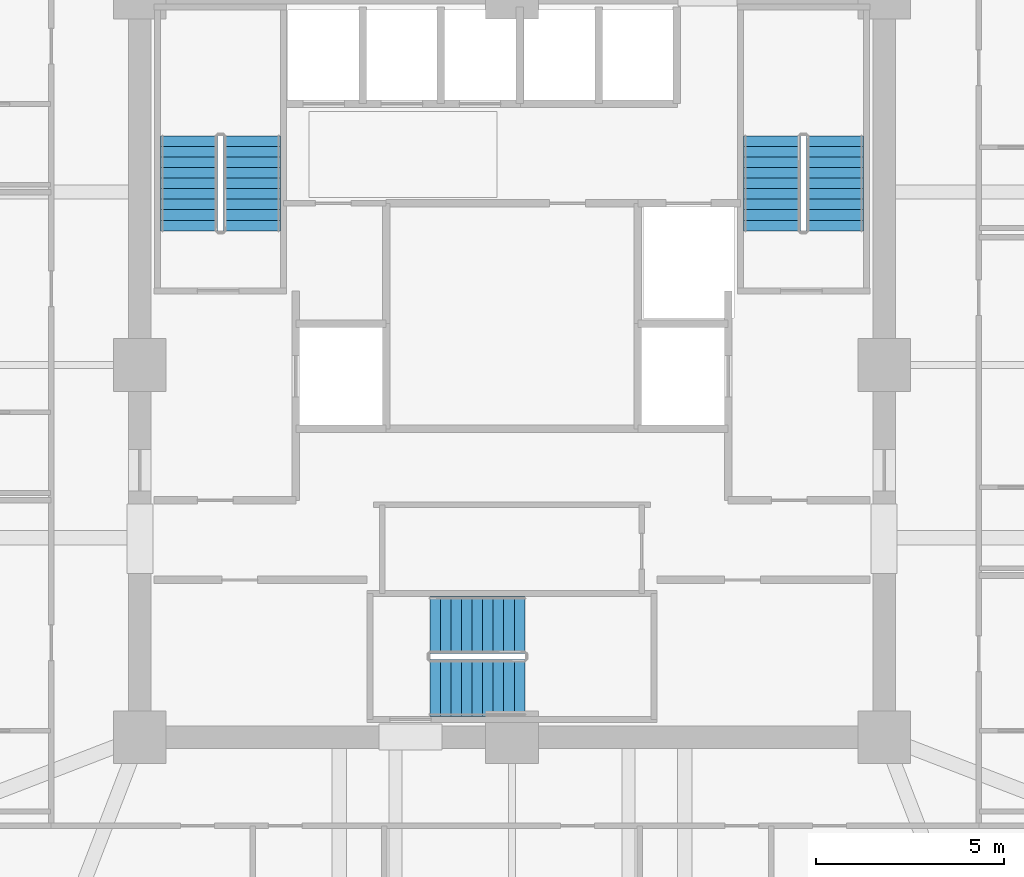
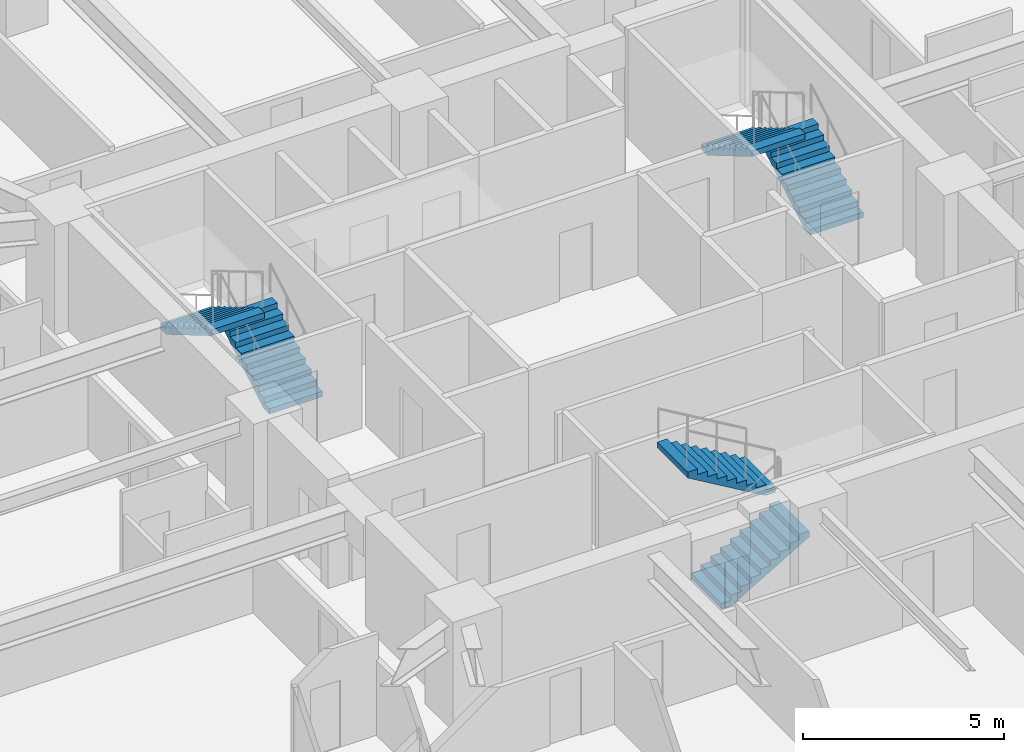
# One storey, part 36 of 38: 6 stair flights, 3 elements without a shape of their own.
"""IFC4 building model written with IfcOpenShell, lengths in metres."""

from ifc_helpers import new_model, si_unit, direction, frame, origin, place, context, subcontext, project, spatial, polyline, outline, extrude, material, type_object, element, aggregate, save


model = new_model("IFC4")

# Units and contexts
model_context = context("Model", 3, precision=1e-05, world=origin(), true_north=direction((0.0, 1.0)))
body_context = subcontext(model_context, "Body", "Model", "MODEL_VIEW")
ifc_project = project(units=[si_unit("LENGTHUNIT", "METRE"), si_unit("AREAUNIT", "SQUARE_METRE"), si_unit("VOLUMEUNIT", "CUBIC_METRE"), si_unit("PLANEANGLEUNIT", "RADIAN"), si_unit("MASSUNIT", "GRAM", prefix="KILO")], contexts=[model_context])

# Site, building, storey
site_placement = place(None, origin())
site = spatial("IfcSite", under=ifc_project, at=site_placement, CompositionType="ELEMENT")
building_placement = place(site_placement, origin())
building = spatial("IfcBuilding", under=site, at=building_placement, Name="Kolvaren Belvedere", CompositionType="ELEMENT")
storey_placement = place(building_placement, frame((0.0, 0.0, 30.39990234375)))
storey = spatial("IfcBuildingStorey", under=building, at=storey_placement, Name="L08", CompositionType="ELEMENT", Elevation=30.39990234375)

# Stair, stair flights
ifc_material_1 = material(Name="Concrete C50/60", Category="concrete")
stair_type = type_object("IfcStairType", Name="ST-CORE-1520", PredefinedType="HALF_TURN_STAIR", material=ifc_material_1)
stair_1_placement = place(storey_placement, origin())
stair_1 = element("IfcStair", 1, at=stair_1_placement, inside=storey, type_object=stair_type, Name="L08 Protected Exit Stair ST-1", PredefinedType="HALF_TURN_STAIR")
ifc_material_2 = material(Name="Concrete C50/60", Category="concrete")
stair_flight_type = type_object("IfcStairFlightType", Name="SF-STR-1520", PredefinedType="STRAIGHT", material=ifc_material_2)
stair_flight_1_placement = place(storey_placement, frame((-6.919921875, 3.570068359375, 0.0), z_axis=(0.0, 0.0, 1.0), x_axis=(0.0, 1.0, 0.0)))
stair_flight_1 = element("IfcStairFlight", 2, at=stair_flight_1_placement, type_object=stair_flight_type, Name="ST-1 flight 1", NumberOfRisers=10, NumberOfTreads=9, PredefinedType="STRAIGHT", RiserHeight=0.165, TreadLength=0.28, context=body_context, shape_type="SweptSolid", body=[
    extrude(outline(polyline([(0.0, 0.0), (0.0, 0.1650390625), (0.280029296875, 0.1650390625), (0.280029296875, 0.330078125), (0.56005859375, 0.330078125), (0.56005859375, 0.4951171875), (0.840087890625, 0.4951171875), (0.840087890625, 0.659912109375), (1.1201171875, 0.659912109375), (1.1201171875, 0.824951171875), (1.39990234375, 0.824951171875), (1.39990234375, 0.989990234375), (1.679931640625, 0.989990234375), (1.679931640625, 1.155029296875), (1.9599609375, 1.155029296875), (1.9599609375, 1.320068359375), (2.239990234375, 1.320068359375), (2.239990234375, 1.485107421875), (2.52001953125, 1.485107421875), (2.52001953125, 1.64990234375), (2.52001953125, 1.31103515625), (0.295166015625, 0.0), (0.0, 0.0)])), frame((0.0, 0.760009765625, 0.0), z_axis=(0.0, -1.0, 0.0), x_axis=(1.0, 0.0, 0.0)), (0.0, 0.0, 1.0), 1.52001953125),
])
stair_flight_2_placement = place(storey_placement, frame((-8.590087890625, 6.090087890625, 1.650146484375), z_axis=(0.0, 0.0, 1.0), x_axis=(0.0, -1.0, 0.0)))
stair_flight_2 = element("IfcStairFlight", 3, at=stair_flight_2_placement, type_object=stair_flight_type, Name="ST-1 flight 2", NumberOfRisers=10, NumberOfTreads=9, PredefinedType="STRAIGHT", RiserHeight=0.165, TreadLength=0.28, context=body_context, shape_type="SweptSolid", body=[
    extrude(outline(polyline([(0.0, 0.0), (0.0, 0.1650390625), (0.280029296875, 0.1650390625), (0.280029296875, 0.330078125), (0.56005859375, 0.330078125), (0.56005859375, 0.4951171875), (0.840087890625, 0.4951171875), (0.840087890625, 0.659912109375), (1.1201171875, 0.659912109375), (1.1201171875, 0.824951171875), (1.39990234375, 0.824951171875), (1.39990234375, 0.989990234375), (1.679931640625, 0.989990234375), (1.679931640625, 1.155029296875), (1.9599609375, 1.155029296875), (1.9599609375, 1.320068359375), (2.239990234375, 1.320068359375), (2.239990234375, 1.485107421875), (2.52001953125, 1.485107421875), (2.52001953125, 1.64990234375), (2.52001953125, 1.31103515625), (0.295166015625, 0.0), (0.0, 0.0)])), frame((0.0, 0.760009765625, 0.0), z_axis=(0.0, -1.0, 0.0), x_axis=(1.0, 0.0, 0.0)), (0.0, 0.0, 1.0), 1.52001953125),
])
aggregate(stair_1, [stair_flight_1, stair_flight_2])

stair_2_placement = place(storey_placement, origin())
stair_2 = element("IfcStair", 4, at=stair_2_placement, inside=storey, type_object=stair_type, Name="L08 Protected Exit Stair ST-2", PredefinedType="HALF_TURN_STAIR")
stair_flight_3_placement = place(storey_placement, frame((8.590087890625, 3.570068359375, 0.0), z_axis=(0.0, 0.0, 1.0), x_axis=(0.0, 1.0, 0.0)))
stair_flight_3 = element("IfcStairFlight", 5, at=stair_flight_3_placement, type_object=stair_flight_type, Name="ST-2 flight 1", NumberOfRisers=10, NumberOfTreads=9, PredefinedType="STRAIGHT", RiserHeight=0.165, TreadLength=0.28, context=body_context, shape_type="SweptSolid", body=[
    extrude(outline(polyline([(0.0, 0.0), (0.0, 0.1650390625), (0.280029296875, 0.1650390625), (0.280029296875, 0.330078125), (0.56005859375, 0.330078125), (0.56005859375, 0.4951171875), (0.840087890625, 0.4951171875), (0.840087890625, 0.659912109375), (1.1201171875, 0.659912109375), (1.1201171875, 0.824951171875), (1.39990234375, 0.824951171875), (1.39990234375, 0.989990234375), (1.679931640625, 0.989990234375), (1.679931640625, 1.155029296875), (1.9599609375, 1.155029296875), (1.9599609375, 1.320068359375), (2.239990234375, 1.320068359375), (2.239990234375, 1.485107421875), (2.52001953125, 1.485107421875), (2.52001953125, 1.64990234375), (2.52001953125, 1.31103515625), (0.295166015625, 0.0), (0.0, 0.0)])), frame((0.0, 0.760009765625, 0.0), z_axis=(0.0, -1.0, 0.0), x_axis=(1.0, 0.0, 0.0)), (0.0, 0.0, 1.0), 1.52001953125),
])
stair_flight_4_placement = place(storey_placement, frame((6.919921875, 6.090087890625, 1.650146484375), z_axis=(0.0, 0.0, 1.0), x_axis=(0.0, -1.0, 0.0)))
stair_flight_4 = element("IfcStairFlight", 6, at=stair_flight_4_placement, type_object=stair_flight_type, Name="ST-2 flight 2", NumberOfRisers=10, NumberOfTreads=9, PredefinedType="STRAIGHT", RiserHeight=0.165, TreadLength=0.28, context=body_context, shape_type="SweptSolid", body=[
    extrude(outline(polyline([(0.0, 0.0), (0.0, 0.1650390625), (0.280029296875, 0.1650390625), (0.280029296875, 0.330078125), (0.56005859375, 0.330078125), (0.56005859375, 0.4951171875), (0.840087890625, 0.4951171875), (0.840087890625, 0.659912109375), (1.1201171875, 0.659912109375), (1.1201171875, 0.824951171875), (1.39990234375, 0.824951171875), (1.39990234375, 0.989990234375), (1.679931640625, 0.989990234375), (1.679931640625, 1.155029296875), (1.9599609375, 1.155029296875), (1.9599609375, 1.320068359375), (2.239990234375, 1.320068359375), (2.239990234375, 1.485107421875), (2.52001953125, 1.485107421875), (2.52001953125, 1.64990234375), (2.52001953125, 1.31103515625), (0.295166015625, 0.0), (0.0, 0.0)])), frame((0.0, 0.760009765625, 0.0), z_axis=(0.0, -1.0, 0.0), x_axis=(1.0, 0.0, 0.0)), (0.0, 0.0, 1.0), 1.52001953125),
])
aggregate(stair_2, [stair_flight_3, stair_flight_4])

stair_3_placement = place(storey_placement, origin())
stair_3 = element("IfcStair", 7, at=stair_3_placement, inside=storey, type_object=stair_type, Name="L08 Protected Exit Stair ST-3", PredefinedType="HALF_TURN_STAIR")
stair_flight_5_placement = place(storey_placement, frame((-2.179931640625, -8.590087890625, 0.0), z_axis=(0.0, 0.0, 1.0), x_axis=(1.0, 0.0, 0.0)))
stair_flight_5 = element("IfcStairFlight", 8, at=stair_flight_5_placement, type_object=stair_flight_type, Name="ST-3 flight 1", NumberOfRisers=10, NumberOfTreads=9, PredefinedType="STRAIGHT", RiserHeight=0.165, TreadLength=0.28, context=body_context, shape_type="SweptSolid", body=[
    extrude(outline(polyline([(0.0, 0.0), (0.0, 0.1650390625), (0.280029296875, 0.1650390625), (0.280029296875, 0.330078125), (0.56005859375, 0.330078125), (0.56005859375, 0.4951171875), (0.840087890625, 0.4951171875), (0.840087890625, 0.659912109375), (1.1201171875, 0.659912109375), (1.1201171875, 0.824951171875), (1.39990234375, 0.824951171875), (1.39990234375, 0.989990234375), (1.679931640625, 0.989990234375), (1.679931640625, 1.155029296875), (1.9599609375, 1.155029296875), (1.9599609375, 1.320068359375), (2.239990234375, 1.320068359375), (2.239990234375, 1.485107421875), (2.52001953125, 1.485107421875), (2.52001953125, 1.64990234375), (2.52001953125, 1.31103515625), (0.295166015625, 0.0), (0.0, 0.0)])), frame((0.0, 0.760009765625, 0.0), z_axis=(0.0, -1.0, 0.0), x_axis=(1.0, 0.0, 0.0)), (0.0, 0.0, 1.0), 1.52001953125),
])
stair_flight_6_placement = place(storey_placement, frame((0.340087890625, -6.919921875, 1.650146484375), z_axis=(0.0, 0.0, 1.0), x_axis=(-1.0, 0.0, 0.0)))
stair_flight_6 = element("IfcStairFlight", 9, at=stair_flight_6_placement, type_object=stair_flight_type, Name="ST-3 flight 2", NumberOfRisers=10, NumberOfTreads=9, PredefinedType="STRAIGHT", RiserHeight=0.165, TreadLength=0.28, context=body_context, shape_type="SweptSolid", body=[
    extrude(outline(polyline([(0.0, 0.0), (0.0, 0.1650390625), (0.280029296875, 0.1650390625), (0.280029296875, 0.330078125), (0.56005859375, 0.330078125), (0.56005859375, 0.4951171875), (0.840087890625, 0.4951171875), (0.840087890625, 0.659912109375), (1.1201171875, 0.659912109375), (1.1201171875, 0.824951171875), (1.39990234375, 0.824951171875), (1.39990234375, 0.989990234375), (1.679931640625, 0.989990234375), (1.679931640625, 1.155029296875), (1.9599609375, 1.155029296875), (1.9599609375, 1.320068359375), (2.239990234375, 1.320068359375), (2.239990234375, 1.485107421875), (2.52001953125, 1.485107421875), (2.52001953125, 1.64990234375), (2.52001953125, 1.31103515625), (0.295166015625, 0.0), (0.0, 0.0)])), frame((0.0, 0.760009765625, 0.0), z_axis=(0.0, -1.0, 0.0), x_axis=(1.0, 0.0, 0.0)), (0.0, 0.0, 1.0), 1.52001953125),
])
aggregate(stair_3, [stair_flight_5, stair_flight_6])

save(model, "model.ifc")
